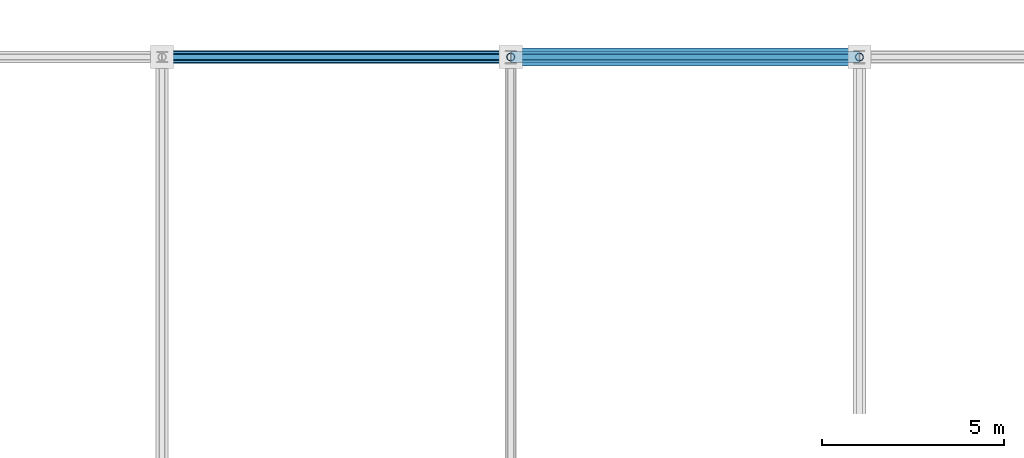
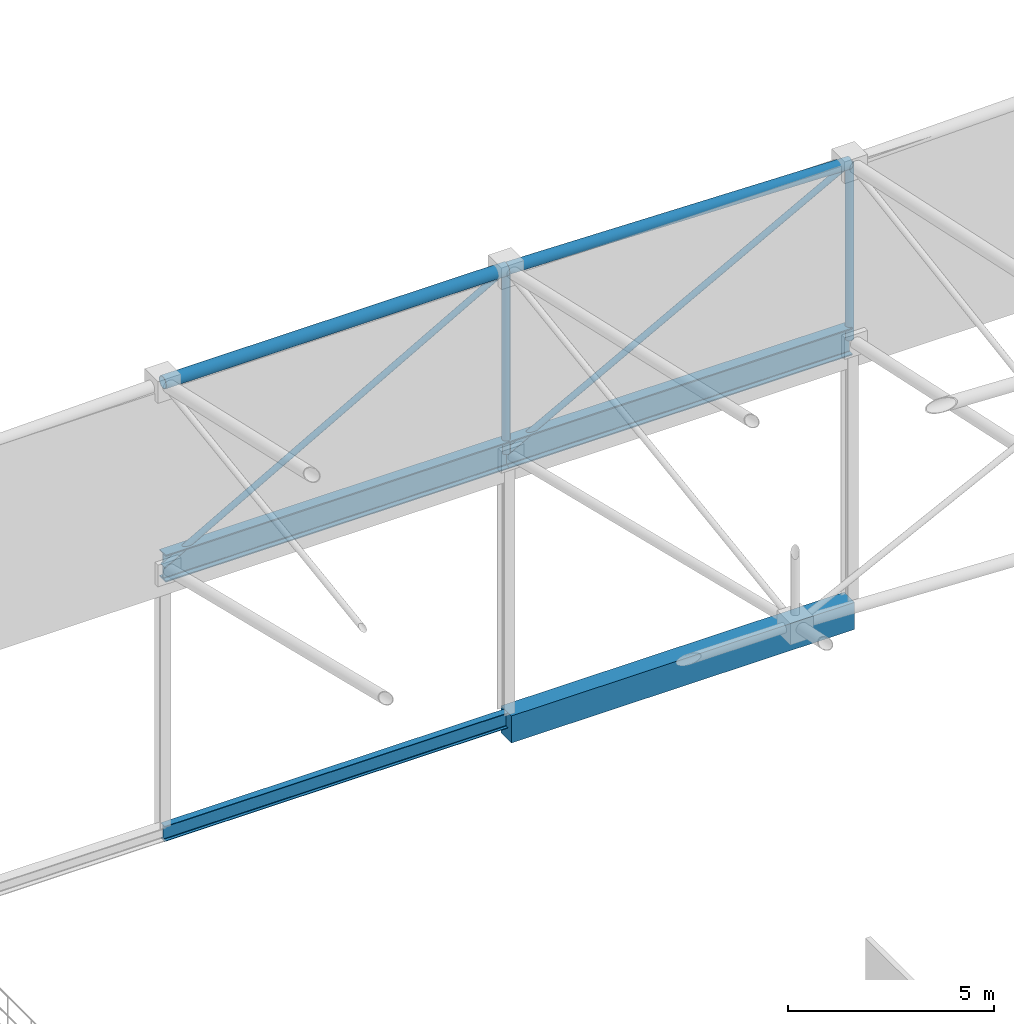
# One storey, part 142 of 193: 6 members, 4 beams.
"""IFC4 building model written with IfcOpenShell, lengths in metres."""

from ifc_helpers import new_model, si_unit, direction, frame, origin, origin_2d, place, context, subcontext, project, spatial, rectangle, hollow_circle, i_section, extrude, material, material_profile, profile_set, type_object, element, save


model = new_model("IFC4")

# Units and contexts
model_context = context("Model", 3, precision=1e-05, world=origin(), true_north=direction((0.0, 1.0)))
body_context = subcontext(model_context, "Body", "Model", "MODEL_VIEW")
ifc_project = project(units=[si_unit("LENGTHUNIT", "METRE"), si_unit("AREAUNIT", "SQUARE_METRE"), si_unit("VOLUMEUNIT", "CUBIC_METRE"), si_unit("PLANEANGLEUNIT", "RADIAN"), si_unit("MASSUNIT", "GRAM", prefix="KILO")], contexts=[model_context])

# Site, building, storey
site_placement = place(None, origin())
site = spatial("IfcSite", under=ifc_project, at=site_placement, CompositionType="ELEMENT")
building_placement = place(site_placement, origin())
building = spatial("IfcBuilding", under=site, at=building_placement, Name="Danafjord Basin Convention Centre", CompositionType="ELEMENT")
storey_placement = place(building_placement, frame((0.0, 0.0, 11.39990234375)))
storey = spatial("IfcBuildingStorey", under=building, at=storey_placement, Name="L02", CompositionType="ELEMENT", Elevation=11.39990234375)

# Beams
ifc_material_1 = material(Name="Steel S355", Category="steel")
ifc_material_profile_1 = material_profile(ifc_material_1, i_section(OverallWidth=0.300048828125, OverallDepth=0.800048828125, WebThickness=0.017578125, FlangeThickness=0.032958984375, FilletRadius=0.030029296875, at=origin_2d()), Name="HEB 800")
ifc_profile_set_1 = profile_set([ifc_material_profile_1], Name="Steel S355")
beam_type_1 = type_object("IfcBeamType", Name="BEAM-BM-HEB800", PredefinedType="BEAM", material=ifc_profile_set_1)
beam_1_placement = place(storey_placement, frame((153.60009765625, 144.0, 7.650146484375), z_axis=(1.0, 0.0, 0.0), x_axis=(0.0, 1.0, 0.0)))
element("IfcBeam", 1, at=beam_1_placement, inside=storey, type_object=beam_type_1, Name="V2 space-frame perimeter ring girder", PredefinedType="BEAM", context=body_context, shape_type="SweptSolid", body=[
    extrude(i_section(OverallWidth=0.300048828125, OverallDepth=0.800048828125, WebThickness=0.017578125, FlangeThickness=0.032958984375, FilletRadius=0.030029296875, at=origin_2d()), origin(), (0.0, 0.0, 1.0), 9.599853515625),
])
beam_2_placement = place(storey_placement, frame((163.199951171875, 144.0, 7.650146484375), z_axis=(1.0, 0.0, 0.0), x_axis=(0.0, 1.0, 0.0)))
element("IfcBeam", 2, at=beam_2_placement, inside=storey, type_object=beam_type_1, Name="V2 space-frame perimeter ring girder", PredefinedType="BEAM", context=body_context, shape_type="SweptSolid", body=[
    extrude(i_section(OverallWidth=0.300048828125, OverallDepth=0.800048828125, WebThickness=0.017578125, FlangeThickness=0.032958984375, FilletRadius=0.030029296875, at=origin_2d()), origin(), (0.0, 0.0, 1.0), 9.60009765625),
])
ifc_material_profile_2 = material_profile(ifc_material_1, i_section(OverallWidth=0.18994140625, OverallDepth=0.449951171875, WebThickness=0.009521484375, FlangeThickness=0.0146484375, FilletRadius=0.02099609375, at=origin_2d()), Name="IPE 450")
ifc_profile_set_2 = profile_set([ifc_material_profile_2], Name="Steel S355")
beam_type_2 = type_object("IfcBeamType", Name="BEAM-SP-IPE450", PredefinedType="SPANDREL", material=ifc_profile_set_2)
beam_3_placement = place(storey_placement, frame((153.60009765625, 144.0, -0.224853515625), z_axis=(1.0, 0.0, 0.0), x_axis=(0.0, 1.0, 0.0)))
element("IfcBeam", 3, at=beam_3_placement, inside=storey, type_object=beam_type_2, Name="L02 girder SP-IPE450", PredefinedType="SPANDREL", context=body_context, shape_type="SweptSolid", body=[
    extrude(i_section(OverallWidth=0.18994140625, OverallDepth=0.449951171875, WebThickness=0.009521484375, FlangeThickness=0.0146484375, FilletRadius=0.02099609375, at=origin_2d()), origin(), (0.0, 0.0, 1.0), 9.599853515625),
])
ifc_material_2 = material(Name="Precast concrete C45/55", Category="concrete")
ifc_material_profile_3 = material_profile(ifc_material_2, rectangle(XDim=0.5, YDim=0.800048828125, at=origin_2d()), Name="PCB 500x800")
ifc_profile_set_3 = profile_set([ifc_material_profile_3], Name="Precast concrete C45/55")
beam_type_3 = type_object("IfcBeamType", Name="BEAM-SP-PCB800", PredefinedType="SPANDREL", material=ifc_profile_set_3)
beam_4_placement = place(storey_placement, frame((163.199951171875, 144.0, -0.39990234375), z_axis=(1.0, 0.0, 0.0), x_axis=(0.0, 1.0, 0.0)))
element("IfcBeam", 4, at=beam_4_placement, inside=storey, type_object=beam_type_3, Name="L02 girder SP-PCB800", PredefinedType="SPANDREL", context=body_context, shape_type="SweptSolid", body=[
    extrude(rectangle(XDim=0.5, YDim=0.800048828125, at=origin_2d()), origin(), (0.0, 0.0, 1.0), 9.60009765625),
])

# Members
ifc_material_profile_4 = material_profile(ifc_material_1, hollow_circle(Radius=0.161865234375, WallThickness=0.01611328125, at=origin_2d()), Name="CHS 323.9x16.0")
ifc_profile_set_4 = profile_set([ifc_material_profile_4], Name="Steel S355")
member_type_1 = type_object("IfcMemberType", Name="MEM-CH-CHS324", PredefinedType="CHORD", material=ifc_profile_set_4)
member_1_placement = place(storey_placement, frame((163.199951171875, 144.0, 13.0751953125), z_axis=(0.999725222215, 0.0, -0.023440991172), x_axis=(0.0, 1.0, 0.0)))
element("IfcMember", 5, at=member_1_placement, inside=storey, type_object=member_type_1, Name="V2 roof truss longitudinal top chord", PredefinedType="CHORD", context=body_context, shape_type="SweptSolid", body=[
    extrude(hollow_circle(Radius=0.161865234375, WallThickness=0.01611328125, at=origin_2d()), origin(), (0.0, 0.0, 1.0), 9.602783203125),
])
ifc_material_profile_5 = material_profile(ifc_material_1, hollow_circle(Radius=0.177734375, WallThickness=0.01611328125, at=origin_2d()), Name="CHS 355.6x16.0")
ifc_profile_set_5 = profile_set([ifc_material_profile_5], Name="Steel S355")
member_type_2 = type_object("IfcMemberType", Name="MEM-CH-CHS355", PredefinedType="CHORD", material=ifc_profile_set_5)
member_2_placement = place(storey_placement, frame((153.60009765625, 144.0, 13.0751953125), z_axis=(1.0, 0.0, 0.0), x_axis=(0.0, 1.0, 0.0)))
element("IfcMember", 6, at=member_2_placement, inside=storey, type_object=member_type_2, Name="V2 roof truss longitudinal top chord", PredefinedType="CHORD", context=body_context, shape_type="SweptSolid", body=[
    extrude(hollow_circle(Radius=0.177734375, WallThickness=0.01611328125, at=origin_2d()), origin(), (0.0, 0.0, 1.0), 9.599853515625),
])
ifc_material_profile_6 = material_profile(ifc_material_1, hollow_circle(Radius=0.109619140625, WallThickness=0.010009765625, at=origin_2d()), Name="CHS 219.1x10.0")
ifc_profile_set_6 = profile_set([ifc_material_profile_6], Name="Steel S355")
member_type_3 = type_object("IfcMemberType", Name="MEM-ST-CHS219", PredefinedType="STRUT", material=ifc_profile_set_6)
member_3_placement = place(storey_placement, frame((163.199951171875, 144.0, 7.650146484375), z_axis=(0.0, 0.0, 1.0), x_axis=(1.0, 0.0, 0.0)))
element("IfcMember", 7, at=member_3_placement, inside=storey, type_object=member_type_3, Name="V2 roof truss vertical strut", PredefinedType="STRUT", context=body_context, shape_type="SweptSolid", body=[
    extrude(hollow_circle(Radius=0.109619140625, WallThickness=0.010009765625, at=origin_2d()), origin(), (0.0, 0.0, 1.0), 5.425048828125),
])
member_4_placement = place(storey_placement, frame((172.800048828125, 144.0, 7.650146484375), z_axis=(0.0, 0.0, 1.0), x_axis=(1.0, 0.0, 0.0)))
element("IfcMember", 8, at=member_4_placement, inside=storey, type_object=member_type_3, Name="V2 roof truss vertical strut", PredefinedType="STRUT", context=body_context, shape_type="SweptSolid", body=[
    extrude(hollow_circle(Radius=0.109619140625, WallThickness=0.010009765625, at=origin_2d()), origin(), (0.0, 0.0, 1.0), 5.199951171875),
])
ifc_material_profile_7 = material_profile(ifc_material_1, hollow_circle(Radius=0.084228515625, WallThickness=0.008056640625, at=origin_2d()), Name="CHS 168.3x8.0")
ifc_profile_set_7 = profile_set([ifc_material_profile_7], Name="Steel S355")
member_type_4 = type_object("IfcMemberType", Name="MEM-WB-CHS168", PredefinedType="MEMBER", material=ifc_profile_set_7)
member_5_placement = place(storey_placement, frame((153.60009765625, 144.0, 7.650146484375), z_axis=(0.870599949112, 0.0, 0.491991594039), x_axis=(0.0, 1.0, 0.0)))
element("IfcMember", 9, at=member_5_placement, inside=storey, type_object=member_type_4, Name="V2 space-frame longitudinal web", PredefinedType="MEMBER", context=body_context, shape_type="SweptSolid", body=[
    extrude(hollow_circle(Radius=0.084228515625, WallThickness=0.008056640625, at=origin_2d()), origin(), (0.0, 0.0, 1.0), 11.026611328125),
])
member_6_placement = place(storey_placement, frame((163.199951171875, 144.0, 7.650146484375), z_axis=(0.879295868501, 0.0, 0.476275944845), x_axis=(0.0, 1.0, 0.0)))
element("IfcMember", 10, at=member_6_placement, inside=storey, type_object=member_type_4, Name="V2 space-frame longitudinal web", PredefinedType="MEMBER", context=body_context, shape_type="SweptSolid", body=[
    extrude(hollow_circle(Radius=0.084228515625, WallThickness=0.008056640625, at=origin_2d()), origin(), (0.0, 0.0, 1.0), 10.91796875),
])

save(model, "model.ifc")
